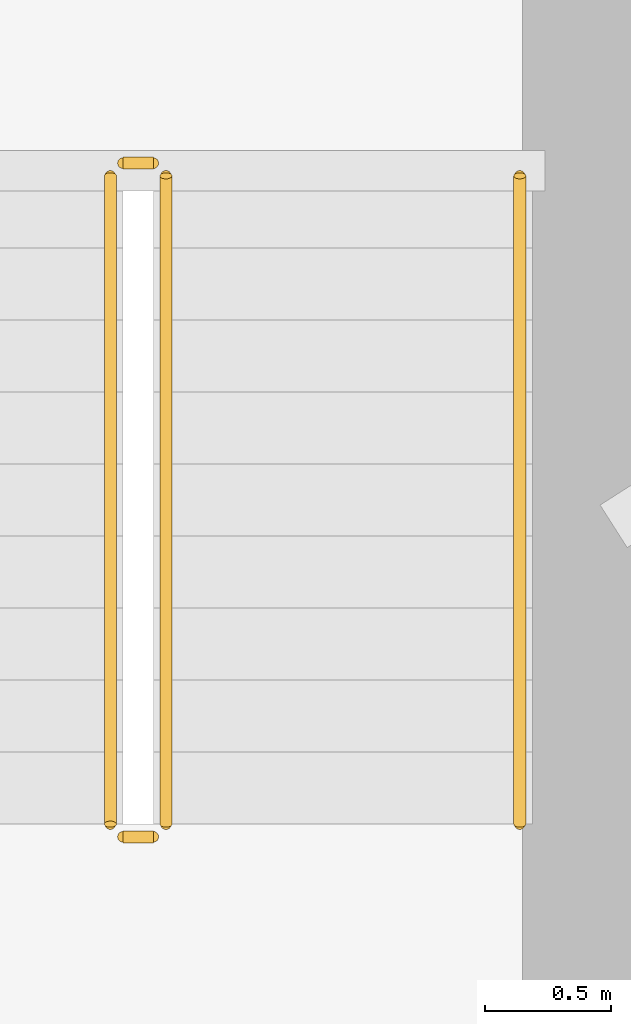
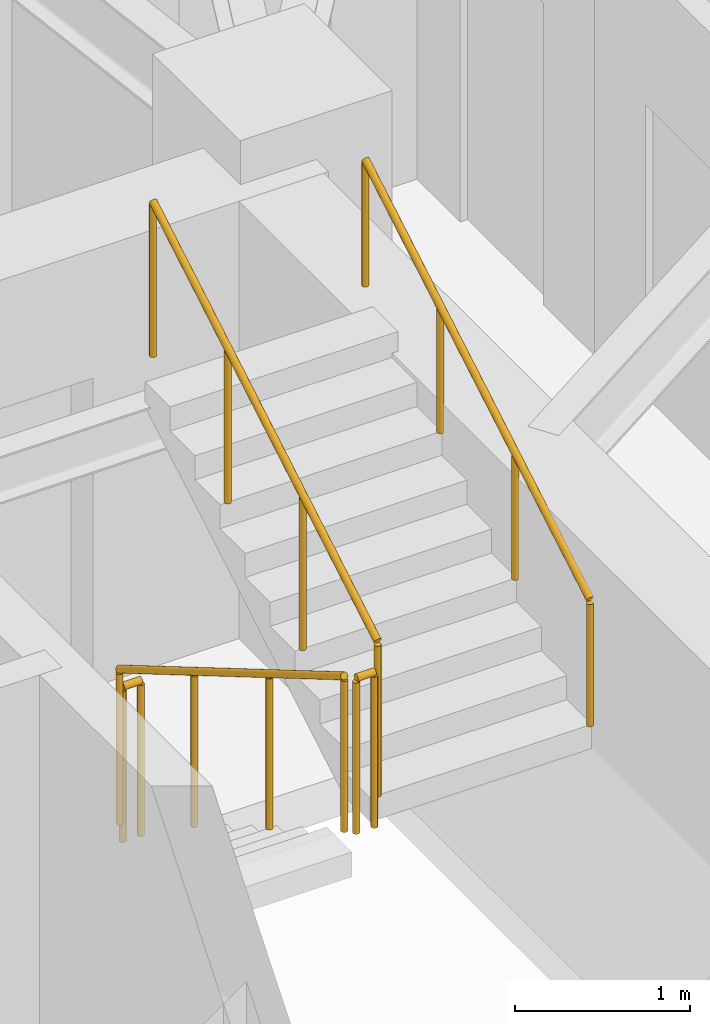
# One storey, part 20 of 20: 5 railings.
"""IFC4 building model written with IfcOpenShell, lengths in metres."""

from ifc_helpers import new_model, si_unit, direction, frame, origin, origin_2d, place, context, subcontext, project, spatial, circle, extrude, material, type_object, element, save


model = new_model("IFC4")

# Units and contexts
model_context = context("Model", 3, precision=1e-05, world=origin(), true_north=direction((0.0, 1.0)))
body_context = subcontext(model_context, "Body", "Model", "MODEL_VIEW")
ifc_project = project(units=[si_unit("LENGTHUNIT", "METRE"), si_unit("AREAUNIT", "SQUARE_METRE"), si_unit("VOLUMEUNIT", "CUBIC_METRE"), si_unit("PLANEANGLEUNIT", "RADIAN"), si_unit("MASSUNIT", "GRAM", prefix="KILO")], contexts=[model_context])

# Site, building, storey
site_placement = place(None, origin())
site = spatial("IfcSite", under=ifc_project, at=site_placement, CompositionType="ELEMENT")
building_placement = place(site_placement, origin())
building = spatial("IfcBuilding", under=site, at=building_placement, Name="Qobustan Lattice House", CompositionType="ELEMENT")
storey_placement = place(building_placement, frame((0.0, 0.0, 79.0)))
storey = spatial("IfcBuildingStorey", under=building, at=storey_placement, Name="L21", CompositionType="ELEMENT", Elevation=79.0)

# Railings
ifc_material_1 = material(Name="Brushed stainless steel handrail", Category="steel")
railing_type_1 = type_object("IfcRailingType", Name="RAL-HR-920", PredefinedType="HANDRAIL", material=ifc_material_1)
railing_1_placement = place(storey_placement, frame((18.199951171875, 0.93505859375, 1.842529296875)))
element("IfcRailing", 1, at=railing_1_placement, inside=storey, type_object=railing_type_1, Name="L21 ST-E1 stair handrail 2", PredefinedType="HANDRAIL", context=body_context, shape_type="SweptSolid", body=[
    extrude(circle(Radius=0.02392578125, at=origin_2d()), frame((0.0, 0.0, 0.8759765625), z_axis=(0.0, 0.862113467892, 0.50671527358), x_axis=(-1.0, 0.0, 0.0)), (0.0, 0.0, 1.0), 2.97509765625),
    extrude(circle(Radius=0.02099609375, at=origin_2d()), origin(), (0.0, 0.0, 1.0), 0.851806640625),
    extrude(circle(Radius=0.02099609375, at=origin_2d()), frame((0.0, 0.85498046875, 0.50244140625)), (0.0, 0.0, 1.0), 0.851806640625),
    extrude(circle(Radius=0.02099609375, at=origin_2d()), frame((0.0, 1.7099609375, 1.005126953125)), (0.0, 0.0, 1.0), 0.851806640625),
    extrude(circle(Radius=0.02099609375, at=origin_2d()), frame((0.0, 2.56494140625, 1.507568359375)), (0.0, 0.0, 1.0), 0.851806640625),
])
ifc_material_2 = material(Name="Painted galvanized steel guardrail", Category="steel")
railing_type_2 = type_object("IfcRailingType", Name="RAL-STG-1150", PredefinedType="GUARDRAIL", material=ifc_material_2)
railing_2_placement = place(storey_placement, frame((16.580078125, 3.5, 0.16748046875)))
element("IfcRailing", 2, at=railing_2_placement, inside=storey, type_object=railing_type_2, Name="L21 ST-E1 stair guard 1", PredefinedType="GUARDRAIL", context=body_context, shape_type="SweptSolid", body=[
    extrude(circle(Radius=0.02392578125, at=origin_2d()), frame((0.0, 0.0, 1.076171875), z_axis=(0.0, -0.862113467892, 0.50671527358), x_axis=(1.0, 0.0, 0.0)), (0.0, 0.0, 1.0), 2.97509765625),
    extrude(circle(Radius=0.02099609375, at=origin_2d()), origin(), (0.0, 0.0, 1.0), 1.052001953125),
    extrude(circle(Radius=0.02099609375, at=origin_2d()), frame((0.0, -0.85498046875, 0.50244140625)), (0.0, 0.0, 1.0), 1.052001953125),
    extrude(circle(Radius=0.02099609375, at=origin_2d()), frame((0.0, -1.7099609375, 1.005126953125)), (0.0, 0.0, 1.0), 1.052001953125),
    extrude(circle(Radius=0.02099609375, at=origin_2d()), frame((0.0, -2.56494140625, 1.507568359375)), (0.0, 0.0, 1.0), 1.052001953125),
])
railing_3_placement = place(storey_placement, frame((16.6298828125, 0.885009765625, 1.675048828125)))
element("IfcRailing", 3, at=railing_3_placement, inside=storey, type_object=railing_type_2, Name="L21 ST-E1 stair guard 2", PredefinedType="GUARDRAIL", context=body_context, shape_type="SweptSolid", body=[
    extrude(circle(Radius=0.02392578125, at=origin_2d()), frame((0.0, 0.0, 1.076171875), z_axis=(1.0, 0.0, 0.0), x_axis=(0.0, 1.0, 0.0)), (0.0, 0.0, 1.0), 0.1201171875),
    extrude(circle(Radius=0.02099609375, at=origin_2d()), origin(), (0.0, 0.0, 1.0), 1.052001953125),
    extrude(circle(Radius=0.02099609375, at=origin_2d()), frame((0.1201171875, 0.0, 0.0)), (0.0, 0.0, 1.0), 1.052001953125),
])
railing_4_placement = place(storey_placement, frame((16.800048828125, 0.93505859375, 1.842529296875)))
element("IfcRailing", 4, at=railing_4_placement, inside=storey, type_object=railing_type_2, Name="L21 ST-E1 stair guard 3", PredefinedType="GUARDRAIL", context=body_context, shape_type="SweptSolid", body=[
    extrude(circle(Radius=0.02392578125, at=origin_2d()), frame((0.0, 0.0, 1.076171875), z_axis=(0.0, 0.862113467892, 0.50671527358), x_axis=(-1.0, 0.0, 0.0)), (0.0, 0.0, 1.0), 2.97509765625),
    extrude(circle(Radius=0.02099609375, at=origin_2d()), origin(), (0.0, 0.0, 1.0), 1.052001953125),
    extrude(circle(Radius=0.02099609375, at=origin_2d()), frame((0.0, 0.85498046875, 0.50244140625)), (0.0, 0.0, 1.0), 1.052001953125),
    extrude(circle(Radius=0.02099609375, at=origin_2d()), frame((0.0, 1.7099609375, 1.005126953125)), (0.0, 0.0, 1.0), 1.052001953125),
    extrude(circle(Radius=0.02099609375, at=origin_2d()), frame((0.0, 2.56494140625, 1.507568359375)), (0.0, 0.0, 1.0), 1.052001953125),
])
railing_5_placement = place(storey_placement, frame((16.6298828125, 3.550048828125, 0.0)))
element("IfcRailing", 5, at=railing_5_placement, inside=storey, type_object=railing_type_2, Name="L21 ST-E1 stair guard 4", PredefinedType="GUARDRAIL", context=body_context, shape_type="SweptSolid", body=[
    extrude(circle(Radius=0.02392578125, at=origin_2d()), frame((0.0, 0.0, 1.076171875), z_axis=(1.0, 0.0, 0.0), x_axis=(0.0, 1.0, 0.0)), (0.0, 0.0, 1.0), 0.1201171875),
    extrude(circle(Radius=0.02099609375, at=origin_2d()), origin(), (0.0, 0.0, 1.0), 1.052001953125),
    extrude(circle(Radius=0.02099609375, at=origin_2d()), frame((0.1201171875, 0.0, 0.0)), (0.0, 0.0, 1.0), 1.052001953125),
])

save(model, "model.ifc")
